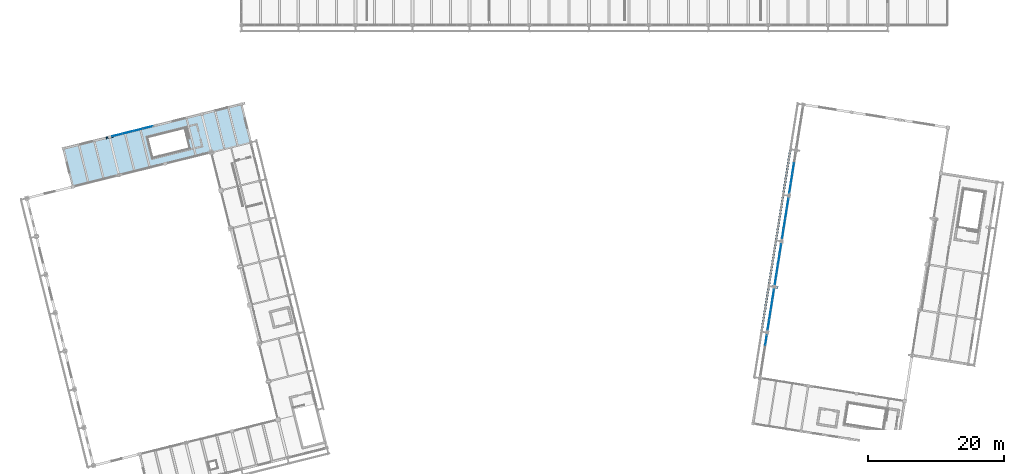
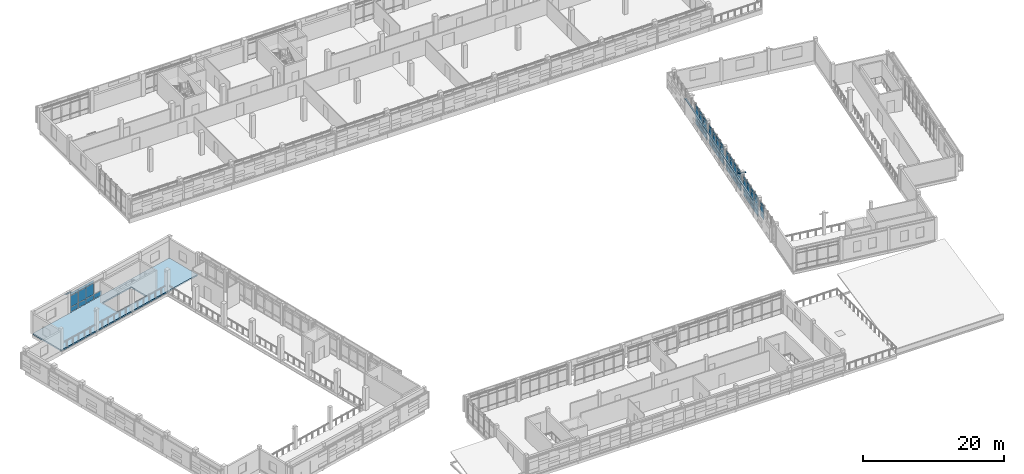
# One storey, part 86 of 117: 63 plates, 1 slab, 6 elements without a shape of their own.
"""IFC4 building model written with IfcOpenShell, lengths in metres."""

import ifcopenshell
import ifcopenshell.guid

model = None  # the IFC model being written
_history = None  # IfcOwnerHistory: only IFC2X3 demands one
_inside = {}  # id of a spatial element -> (the spatial element, [elements in it])
_under = {}  # id of a project, library or spatial element -> (it, [spatial elements below it])
_declared = {}  # id of a project -> (the project, [libraries it declares])
_typed = {}  # id of a type object -> (the type object, [elements of that type])
_made_of = {}  # id of a material, layer set ... -> (it, [elements and type objects made of it])


def new_model(schema):
    """Start an empty IFC model of exactly this schema.

    Asked for "IFC4X3", IfcOpenShell would pick the latest addendum, in which some entities
    have other attributes; the version numbers below select the first issue.
    IFC2X3 requires an IfcOwnerHistory on every rooted entity: one is made here for all.
    """
    global model, _history
    if schema == "IFC4X3":
        model = ifcopenshell.file(schema_version=(4, 3, 0, 0))
    else:
        model = ifcopenshell.file(schema=schema)
    _inside.clear()
    _under.clear()
    _declared.clear()
    _typed.clear()
    _made_of.clear()
    _history = None
    if model.schema == "IFC2X3":
        org = make("IfcOrganization", Name="unknown")
        user = make(
            "IfcPersonAndOrganization",
            ThePerson=make("IfcPerson", FamilyName="unknown"),
            TheOrganization=org,
        )
        app = make(
            "IfcApplication",
            ApplicationDeveloper=org,
            Version="unknown",
            ApplicationFullName="unknown",
            ApplicationIdentifier="unknown",
        )
        _history = make(
            "IfcOwnerHistory",
            OwningUser=user,
            OwningApplication=app,
            ChangeAction="ADDED",
            CreationDate=0,
        )
    return model


def make(cls, **values):
    """One entity of the class cls with the attributes given. An attribute that is None is left unset."""
    return model.create_entity(
        cls, **{name: value for name, value in values.items() if value is not None}
    )


def rooted(cls, **values):
    """An entity with a GlobalId (a new one), such as an element, a storey or a relation."""
    return make(cls, GlobalId=ifcopenshell.guid.new(), OwnerHistory=_history, **values)


def si_unit(unit_type, name, prefix=None):
    """IfcSIUnit, for example si_unit("LENGTHUNIT", "METRE", prefix="MILLI")."""
    return make("IfcSIUnit", UnitType=unit_type, Prefix=prefix, Name=name)


def assignment(units):
    """IfcUnitAssignment: the units of a project."""
    return None if units is None else make("IfcUnitAssignment", Units=units)


def point(xyz):
    """IfcCartesianPoint."""
    return None if xyz is None else make("IfcCartesianPoint", Coordinates=xyz)


def direction(xyz):
    """IfcDirection."""
    return None if xyz is None else make("IfcDirection", DirectionRatios=xyz)


def frame(location, z_axis=None, x_axis=None):
    """IfcAxis2Placement3D, a coordinate frame: its origin and axes. An axis left out is left unset."""
    return make(
        "IfcAxis2Placement3D",
        Location=point(location),
        Axis=direction(z_axis),
        RefDirection=direction(x_axis),
    )


def frame_2d(location, x_axis=None):
    """IfcAxis2Placement2D, a coordinate frame in the plane: its origin and x axis."""
    return make(
        "IfcAxis2Placement2D", Location=point(location), RefDirection=direction(x_axis)
    )


def origin():
    """The frame at (0, 0, 0) with its axes left unset."""
    return frame((0.0, 0.0, 0.0))


def origin_2d():
    """The frame at (0, 0) in the plane with its x axis left unset."""
    return frame_2d((0.0, 0.0))


def place(relative_to, where):
    """IfcLocalPlacement: puts the frame where relative to a parent placement (None: the world)."""
    return make(
        "IfcLocalPlacement", PlacementRelTo=relative_to, RelativePlacement=where
    )


def context(
    kind, dimensions, precision=None, world=None, true_north=None, identifier=None
):
    """IfcGeometricRepresentationContext, for example the 3D "Model" context."""
    return make(
        "IfcGeometricRepresentationContext",
        ContextIdentifier=identifier,
        ContextType=kind,
        CoordinateSpaceDimension=dimensions,
        Precision=precision,
        WorldCoordinateSystem=world,
        TrueNorth=true_north,
    )


def subcontext(parent, identifier, kind, view, scale=None):
    """IfcGeometricRepresentationSubContext, for example "Body" below "Model"."""
    return make(
        "IfcGeometricRepresentationSubContext",
        ContextIdentifier=identifier,
        ContextType=kind,
        ParentContext=parent,
        TargetScale=scale,
        TargetView=view,
    )


def project(units=None, contexts=None):
    """IfcProject with its units and contexts."""
    return rooted(
        "IfcProject",
        Name="project",
        RepresentationContexts=contexts,
        UnitsInContext=assignment(units),
    )


def spatial(cls, under=None, at=None, **own):
    """A site, building, storey or space (cls), placed at a placement, below another one or the project."""
    s = rooted(cls, ObjectPlacement=at, **own)
    if under is not None:
        _under.setdefault(under.id(), (under, []))[1].append(s)
    return s


def polyline(points):
    """IfcPolyline through the points."""
    return make("IfcPolyline", Points=[point(p) for p in points])


def profile(cls, at=None, kind="AREA", **sizes):
    """A parametric profile (cls). Its sizes go by their IFC names, for example OverallWidth=200.0."""
    return make(cls, ProfileType=kind, Position=at, **sizes)


def rectangle(**sizes):
    """IfcRectangleProfileDef."""
    return profile("IfcRectangleProfileDef", **sizes)


def outline(outer, holes=None, kind="AREA"):
    """IfcArbitraryClosedProfileDef: a profile drawn as a closed curve; with holes, ...WithVoids."""
    if holes is None:
        return make("IfcArbitraryClosedProfileDef", ProfileType=kind, OuterCurve=outer)
    return make(
        "IfcArbitraryProfileDefWithVoids",
        ProfileType=kind,
        OuterCurve=outer,
        InnerCurves=holes,
    )


def extrude(swept, where, along, depth):
    """IfcExtrudedAreaSolid: the profile swept, set in the frame where, extruded along a direction by depth."""
    return make(
        "IfcExtrudedAreaSolid",
        SweptArea=swept,
        Position=where,
        ExtrudedDirection=direction(along),
        Depth=depth,
    )


def shape(context_of_items, identifier, shape_type, items):
    """IfcShapeRepresentation: the items that make up one representation, for example the "Body"."""
    return make(
        "IfcShapeRepresentation",
        ContextOfItems=context_of_items,
        RepresentationIdentifier=identifier,
        RepresentationType=shape_type,
        Items=items,
    )


def material(Name=None, Category=None):
    """IfcMaterial."""
    return make("IfcMaterial", Name=Name, Category=Category)


def layer(
    of_material, thickness, ventilated=None, Name=None, Category=None, Priority=None
):
    """IfcMaterialLayer: one layer of a wall or slab, of a material (None: an air gap)."""
    return make(
        "IfcMaterialLayer",
        Material=of_material,
        LayerThickness=thickness,
        IsVentilated=ventilated,
        Name=Name,
        Category=Category,
        Priority=Priority,
    )


def layer_set(layers, Name=None):
    """IfcMaterialLayerSet."""
    return make("IfcMaterialLayerSet", MaterialLayers=layers, LayerSetName=Name)


def made_of(thing, what):
    """Note that an element or type object is made of a material, layer set ...; save() writes the relation."""
    if what is not None:
        _made_of.setdefault(what.id(), (what, []))[1].append(thing)
    return thing


def type_object(cls, material=None, **own):
    """A type object (cls), such as IfcWallType, which elements share."""
    return made_of(rooted(cls, **own), material)


def element(
    cls,
    number,
    at=None,
    inside=None,
    cuts=None,
    type_object=None,
    material=None,
    context=None,
    identifier="Body",
    shape_type=None,
    held_by="IfcProductDefinitionShape",
    body=None,
    shapes=None,
    **own,
):
    """One element of the class cls, such as IfcWall. Its Tag is "e" and its number.

    at: its placement. inside: the storey or other place that contains it. cuts: it is an
    opening in that element (IfcRelVoidsElement). A single representation is given by context,
    identifier, shape_type and body (its items); several are given by shapes. held_by: the class
    of the entity that holds the representations. save() writes the other relations.
    """
    e = rooted(cls, Tag="e%d" % number, ObjectPlacement=at, **own)
    if body is not None:
        shapes = [shape(context, identifier, shape_type, body)]
    if shapes is not None:
        e.Representation = make(held_by, Representations=shapes)
    if inside is not None:
        _inside.setdefault(inside.id(), (inside, []))[1].append(e)
    if cuts is not None:
        rooted(
            "IfcRelVoidsElement", RelatingBuildingElement=cuts, RelatedOpeningElement=e
        )
    if type_object is not None:
        _typed.setdefault(type_object.id(), (type_object, []))[1].append(e)
    return made_of(e, material)


def aggregate(whole, parts):
    """IfcRelAggregates: a whole, such as a stair, and the parts it consists of."""
    return rooted("IfcRelAggregates", RelatingObject=whole, RelatedObjects=parts)


def save(model, path):
    """Write the relations noted so far, then the file.

    IfcRelAggregates (storeys below a building ...), IfcRelContainedInSpatialStructure (elements
    in a storey), IfcRelDefinesByType, IfcRelAssociatesMaterial and IfcRelDeclares: one each for
    every whole, place, type object, material and project.
    """
    for whole, parts in _under.values():
        aggregate(whole, parts)
    for where, things in _inside.values():
        rooted(
            "IfcRelContainedInSpatialStructure",
            RelatedElements=things,
            RelatingStructure=where,
        )
    for kind, things in _typed.values():
        rooted("IfcRelDefinesByType", RelatedObjects=things, RelatingType=kind)
    for what, things in _made_of.values():
        rooted("IfcRelAssociatesMaterial", RelatedObjects=things, RelatingMaterial=what)
    for by, libraries in _declared.values():
        rooted("IfcRelDeclares", RelatingContext=by, RelatedDefinitions=libraries)
    model.write(path)


model = new_model("IFC4")

# Units and contexts
model_context = context("Model", 3, precision=1e-05, world=origin(), true_north=direction((0.0, 1.0)))
body_context = subcontext(model_context, "Body", "Model", "MODEL_VIEW")
ifc_project = project(units=[si_unit("LENGTHUNIT", "METRE"), si_unit("AREAUNIT", "SQUARE_METRE"), si_unit("VOLUMEUNIT", "CUBIC_METRE"), si_unit("PLANEANGLEUNIT", "RADIAN"), si_unit("MASSUNIT", "GRAM", prefix="KILO")], contexts=[model_context])

# Site, building, storey
site_placement = place(None, origin())
site = spatial("IfcSite", under=ifc_project, at=site_placement, CompositionType="ELEMENT")
building_placement = place(site_placement, origin())
building = spatial("IfcBuilding", under=site, at=building_placement, Name="Cinderway Yard Community Centre", CompositionType="ELEMENT")
storey_placement = place(building_placement, frame((0.0, 0.0, 9.0)))
storey = spatial("IfcBuildingStorey", under=building, at=storey_placement, Name="L02", CompositionType="ELEMENT", Elevation=9.0)

# Curtain wall, plates
ifc_material_1 = material(Name="Aluminium 6063-T6", Category="aluminium")
curtain_wall_type_1 = type_object("IfcCurtainWallType", Name="ENV-CW-TYPE-08", PredefinedType="USERDEFINED", material=ifc_material_1)
curtain_wall_1_placement = place(storey_placement, origin())
curtain_wall_1 = element("IfcCurtainWall", 1, at=curtain_wall_1_placement, inside=storey, type_object=curtain_wall_type_1, Name="Choir North Curtain Wall ENV-CW-L02-ST-0029", ObjectType="GLAZED CURTAIN WALL", PredefinedType="USERDEFINED")
ifc_material_2 = material(Name="Laminated Low-E Glass", Category="glass")
ifc_layer_1 = layer(ifc_material_2, 0.028076171875, Name="Laminated Low-E Glass")
ifc_layer_set_1 = layer_set([ifc_layer_1], Name="Laminated Low-E Glass")
plate_type_1 = type_object("IfcPlateType", Name="ENV-CW-PAN-IGU28", PredefinedType="CURTAIN_PANEL", material=ifc_layer_set_1)
plate_1_placement = place(storey_placement, frame((23.308349609375, 73.809326171875, 0.06005859375), z_axis=(0.0, 0.0, 1.0), x_axis=(0.97027434352, 0.242007641009, 0.0)))
plate_1 = element("IfcPlate", 2, at=plate_1_placement, type_object=plate_type_1, Name="CW-08 panel 1.1", PredefinedType="CURTAIN_PANEL", context=body_context, shape_type="SweptSolid", body=[
    extrude(rectangle(XDim=1.469970703125, YDim=0.028076171875, at=origin_2d()), origin(), (0.0, 0.0, 1.0), 0.81005859375),
])
plate_2_placement = place(storey_placement, frame((23.308349609375, 73.809326171875, 0.929931640625), z_axis=(0.0, 0.0, 1.0), x_axis=(0.97027434352, 0.242007641009, 0.0)))
plate_2 = element("IfcPlate", 3, at=plate_2_placement, type_object=plate_type_1, Name="CW-08 panel 1.2", PredefinedType="CURTAIN_PANEL", context=body_context, shape_type="SweptSolid", body=[
    extrude(rectangle(XDim=1.469970703125, YDim=0.028076171875, at=origin_2d()), origin(), (0.0, 0.0, 1.0), 1.93994140625),
])
plate_3_placement = place(storey_placement, frame((23.308349609375, 73.809326171875, 2.929931640625), z_axis=(0.0, 0.0, 1.0), x_axis=(0.97027434352, 0.242007641009, 0.0)))
plate_3 = element("IfcPlate", 4, at=plate_3_placement, type_object=plate_type_1, Name="CW-08 panel 1.3", PredefinedType="CURTAIN_PANEL", context=body_context, shape_type="SweptSolid", body=[
    extrude(rectangle(XDim=1.469970703125, YDim=0.028076171875, at=origin_2d()), origin(), (0.0, 0.0, 1.0), 0.4599609375),
])
plate_4_placement = place(storey_placement, frame((24.80712890625, 74.183349609375, 0.06005859375), z_axis=(0.0, 0.0, 1.0), x_axis=(0.97027434352, 0.242007641009, 0.0)))
plate_4 = element("IfcPlate", 5, at=plate_4_placement, type_object=plate_type_1, Name="CW-08 panel 2.1", PredefinedType="CURTAIN_PANEL", context=body_context, shape_type="SweptSolid", body=[
    extrude(rectangle(XDim=1.499755859375, YDim=0.028076171875, at=origin_2d()), origin(), (0.0, 0.0, 1.0), 0.81005859375),
])
plate_5_placement = place(storey_placement, frame((24.80712890625, 74.183349609375, 0.929931640625), z_axis=(0.0, 0.0, 1.0), x_axis=(0.97027434352, 0.242007641009, 0.0)))
plate_5 = element("IfcPlate", 6, at=plate_5_placement, type_object=plate_type_1, Name="CW-08 panel 2.2", PredefinedType="CURTAIN_PANEL", context=body_context, shape_type="SweptSolid", body=[
    extrude(rectangle(XDim=1.499755859375, YDim=0.028076171875, at=origin_2d()), origin(), (0.0, 0.0, 1.0), 1.93994140625),
])
plate_6_placement = place(storey_placement, frame((24.80712890625, 74.183349609375, 2.929931640625), z_axis=(0.0, 0.0, 1.0), x_axis=(0.97027434352, 0.242007641009, 0.0)))
plate_6 = element("IfcPlate", 7, at=plate_6_placement, type_object=plate_type_1, Name="CW-08 panel 2.3", PredefinedType="CURTAIN_PANEL", context=body_context, shape_type="SweptSolid", body=[
    extrude(rectangle(XDim=1.499755859375, YDim=0.028076171875, at=origin_2d()), origin(), (0.0, 0.0, 1.0), 0.4599609375),
])
plate_7_placement = place(storey_placement, frame((26.32080078125, 74.560791015625, 0.06005859375), z_axis=(0.0, 0.0, 1.0), x_axis=(0.97027434352, 0.242007641009, 0.0)))
plate_7 = element("IfcPlate", 8, at=plate_7_placement, type_object=plate_type_1, Name="CW-08 panel 3.1", PredefinedType="CURTAIN_PANEL", context=body_context, shape_type="SweptSolid", body=[
    extrude(rectangle(XDim=1.499755859375, YDim=0.028076171875, at=origin_2d()), origin(), (0.0, 0.0, 1.0), 0.81005859375),
])
plate_8_placement = place(storey_placement, frame((26.32080078125, 74.560791015625, 0.929931640625), z_axis=(0.0, 0.0, 1.0), x_axis=(0.97027434352, 0.242007641009, 0.0)))
plate_8 = element("IfcPlate", 9, at=plate_8_placement, type_object=plate_type_1, Name="CW-08 panel 3.2", PredefinedType="CURTAIN_PANEL", context=body_context, shape_type="SweptSolid", body=[
    extrude(rectangle(XDim=1.499755859375, YDim=0.028076171875, at=origin_2d()), origin(), (0.0, 0.0, 1.0), 1.93994140625),
])
plate_9_placement = place(storey_placement, frame((26.32080078125, 74.560791015625, 2.929931640625), z_axis=(0.0, 0.0, 1.0), x_axis=(0.97027434352, 0.242007641009, 0.0)))
plate_9 = element("IfcPlate", 10, at=plate_9_placement, type_object=plate_type_1, Name="CW-08 panel 3.3", PredefinedType="CURTAIN_PANEL", context=body_context, shape_type="SweptSolid", body=[
    extrude(rectangle(XDim=1.499755859375, YDim=0.028076171875, at=origin_2d()), origin(), (0.0, 0.0, 1.0), 0.4599609375),
])
plate_10_placement = place(storey_placement, frame((27.819580078125, 74.9345703125, 0.06005859375), z_axis=(0.0, 0.0, 1.0), x_axis=(0.97027434352, 0.242007641009, 0.0)))
plate_10 = element("IfcPlate", 11, at=plate_10_placement, type_object=plate_type_1, Name="CW-08 panel 4.1", PredefinedType="CURTAIN_PANEL", context=body_context, shape_type="SweptSolid", body=[
    extrude(rectangle(XDim=1.469970703125, YDim=0.028076171875, at=origin_2d()), origin(), (0.0, 0.0, 1.0), 0.81005859375),
])
aggregate(curtain_wall_1, [plate_1, plate_2, plate_3, plate_4, plate_5, plate_6, plate_7, plate_8, plate_9, plate_10])

curtain_wall_type_2 = type_object("IfcCurtainWallType", Name="ENV-CW-TYPE-17", PredefinedType="USERDEFINED", material=ifc_material_1)
curtain_wall_2_placement = place(storey_placement, origin())
curtain_wall_2 = element("IfcCurtainWall", 12, at=curtain_wall_2_placement, inside=storey, type_object=curtain_wall_type_2, Name="Sports Hall Courtyard Curtain Wall ENV-CW-L02-HS-0060", ObjectType="GLAZED CURTAIN WALL", PredefinedType="USERDEFINED")
ifc_layer_2 = layer(ifc_material_2, 0.031982421875, Name="Laminated Low-E Glass")
ifc_layer_set_2 = layer_set([ifc_layer_2], Name="Laminated Low-E Glass")
plate_type_2 = type_object("IfcPlateType", Name="ENV-CW-PAN-IGU32", PredefinedType="CURTAIN_PANEL", material=ifc_layer_set_2)
plate_11_placement = place(storey_placement, frame((118.884521484375, 43.580322265625, 0.929931640625), z_axis=(0.0, 0.0, 1.0), x_axis=(0.156608625643, 0.987660740525, 0.0)))
plate_11 = element("IfcPlate", 13, at=plate_11_placement, type_object=plate_type_2, Name="CW-17 panel 4.2", PredefinedType="CURTAIN_PANEL", context=body_context, shape_type="SweptSolid", body=[
    extrude(rectangle(XDim=1.420166015625, YDim=0.028076171875, at=origin_2d()), origin(), (0.0, 0.0, 1.0), 1.93994140625),
])
plate_12_placement = place(storey_placement, frame((118.884521484375, 43.580322265625, 2.929931640625), z_axis=(0.0, 0.0, 1.0), x_axis=(0.156608625643, 0.987660740525, 0.0)))
plate_12 = element("IfcPlate", 14, at=plate_12_placement, type_object=plate_type_2, Name="CW-17 panel 4.3", PredefinedType="CURTAIN_PANEL", context=body_context, shape_type="SweptSolid", body=[
    extrude(rectangle(XDim=1.420166015625, YDim=0.028076171875, at=origin_2d()), origin(), (0.0, 0.0, 1.0), 0.4599609375),
])
aggregate(curtain_wall_2, [plate_11, plate_12])

curtain_wall_3_placement = place(storey_placement, origin())
curtain_wall_3 = element("IfcCurtainWall", 15, at=curtain_wall_3_placement, inside=storey, type_object=curtain_wall_type_2, Name="Sports Hall Courtyard Curtain Wall ENV-CW-L02-HS-0061", ObjectType="GLAZED CURTAIN WALL", PredefinedType="USERDEFINED")
plate_13_placement = place(storey_placement, frame((119.24365234375, 45.851806640625, 0.06005859375), z_axis=(0.0, 0.0, 1.0), x_axis=(0.156583023401, 0.987664799809, 0.0)))
plate_13 = element("IfcPlate", 16, at=plate_13_placement, type_object=plate_type_2, Name="CW-17 panel 1.1", PredefinedType="CURTAIN_PANEL", context=body_context, shape_type="SweptSolid", body=[
    extrude(rectangle(XDim=1.42041015625, YDim=0.028076171875, at=origin_2d()), origin(), (0.0, 0.0, 1.0), 0.81005859375),
])
plate_14_placement = place(storey_placement, frame((119.24365234375, 45.851806640625, 0.929931640625), z_axis=(0.0, 0.0, 1.0), x_axis=(0.156583023401, 0.987664799809, 0.0)))
plate_14 = element("IfcPlate", 17, at=plate_14_placement, type_object=plate_type_2, Name="CW-17 panel 1.2", PredefinedType="CURTAIN_PANEL", context=body_context, shape_type="SweptSolid", body=[
    extrude(rectangle(XDim=1.42041015625, YDim=0.028076171875, at=origin_2d()), origin(), (0.0, 0.0, 1.0), 1.93994140625),
])
plate_15_placement = place(storey_placement, frame((119.24365234375, 45.851806640625, 2.929931640625), z_axis=(0.0, 0.0, 1.0), x_axis=(0.156583023401, 0.987664799809, 0.0)))
plate_15 = element("IfcPlate", 18, at=plate_15_placement, type_object=plate_type_2, Name="CW-17 panel 1.3", PredefinedType="CURTAIN_PANEL", context=body_context, shape_type="SweptSolid", body=[
    extrude(rectangle(XDim=1.42041015625, YDim=0.028076171875, at=origin_2d()), origin(), (0.0, 0.0, 1.0), 0.4599609375),
])
plate_16_placement = place(storey_placement, frame((119.477783203125, 47.32861328125, 0.06005859375), z_axis=(0.0, 0.0, 1.0), x_axis=(0.156583023401, 0.987664799809, 0.0)))
plate_16 = element("IfcPlate", 19, at=plate_16_placement, type_object=plate_type_2, Name="CW-17 panel 2.1", PredefinedType="CURTAIN_PANEL", context=body_context, shape_type="SweptSolid", body=[
    extrude(rectangle(XDim=1.450439453125, YDim=0.028076171875, at=origin_2d()), origin(), (0.0, 0.0, 1.0), 0.81005859375),
])
plate_17_placement = place(storey_placement, frame((119.477783203125, 47.32861328125, 0.929931640625), z_axis=(0.0, 0.0, 1.0), x_axis=(0.156583023401, 0.987664799809, 0.0)))
plate_17 = element("IfcPlate", 20, at=plate_17_placement, type_object=plate_type_2, Name="CW-17 panel 2.2", PredefinedType="CURTAIN_PANEL", context=body_context, shape_type="SweptSolid", body=[
    extrude(rectangle(XDim=1.450439453125, YDim=0.028076171875, at=origin_2d()), origin(), (0.0, 0.0, 1.0), 1.93994140625),
])
plate_18_placement = place(storey_placement, frame((119.477783203125, 47.32861328125, 2.929931640625), z_axis=(0.0, 0.0, 1.0), x_axis=(0.156583023401, 0.987664799809, 0.0)))
plate_18 = element("IfcPlate", 21, at=plate_18_placement, type_object=plate_type_2, Name="CW-17 panel 2.3", PredefinedType="CURTAIN_PANEL", context=body_context, shape_type="SweptSolid", body=[
    extrude(rectangle(XDim=1.450439453125, YDim=0.028076171875, at=origin_2d()), origin(), (0.0, 0.0, 1.0), 0.4599609375),
])
plate_19_placement = place(storey_placement, frame((119.71435546875, 48.8203125, 0.06005859375), z_axis=(0.0, 0.0, 1.0), x_axis=(0.156583023401, 0.987664799809, 0.0)))
plate_19 = element("IfcPlate", 22, at=plate_19_placement, type_object=plate_type_2, Name="CW-17 panel 3.1", PredefinedType="CURTAIN_PANEL", context=body_context, shape_type="SweptSolid", body=[
    extrude(rectangle(XDim=1.450439453125, YDim=0.028076171875, at=origin_2d()), origin(), (0.0, 0.0, 1.0), 0.81005859375),
])
plate_20_placement = place(storey_placement, frame((119.71435546875, 48.8203125, 0.929931640625), z_axis=(0.0, 0.0, 1.0), x_axis=(0.156583023401, 0.987664799809, 0.0)))
plate_20 = element("IfcPlate", 23, at=plate_20_placement, type_object=plate_type_2, Name="CW-17 panel 3.2", PredefinedType="CURTAIN_PANEL", context=body_context, shape_type="SweptSolid", body=[
    extrude(rectangle(XDim=1.450439453125, YDim=0.028076171875, at=origin_2d()), origin(), (0.0, 0.0, 1.0), 1.93994140625),
])
plate_21_placement = place(storey_placement, frame((119.71435546875, 48.8203125, 2.929931640625), z_axis=(0.0, 0.0, 1.0), x_axis=(0.156583023401, 0.987664799809, 0.0)))
plate_21 = element("IfcPlate", 24, at=plate_21_placement, type_object=plate_type_2, Name="CW-17 panel 3.3", PredefinedType="CURTAIN_PANEL", context=body_context, shape_type="SweptSolid", body=[
    extrude(rectangle(XDim=1.450439453125, YDim=0.028076171875, at=origin_2d()), origin(), (0.0, 0.0, 1.0), 0.4599609375),
])
plate_22_placement = place(storey_placement, frame((119.948486328125, 50.29736328125, 0.06005859375), z_axis=(0.0, 0.0, 1.0), x_axis=(0.156583023401, 0.987664799809, 0.0)))
plate_22 = element("IfcPlate", 25, at=plate_22_placement, type_object=plate_type_2, Name="CW-17 panel 4.1", PredefinedType="CURTAIN_PANEL", context=body_context, shape_type="SweptSolid", body=[
    extrude(rectangle(XDim=1.42041015625, YDim=0.028076171875, at=origin_2d()), origin(), (0.0, 0.0, 1.0), 0.81005859375),
])
plate_23_placement = place(storey_placement, frame((119.948486328125, 50.29736328125, 0.929931640625), z_axis=(0.0, 0.0, 1.0), x_axis=(0.156583023401, 0.987664799809, 0.0)))
plate_23 = element("IfcPlate", 26, at=plate_23_placement, type_object=plate_type_2, Name="CW-17 panel 4.2", PredefinedType="CURTAIN_PANEL", context=body_context, shape_type="SweptSolid", body=[
    extrude(rectangle(XDim=1.42041015625, YDim=0.028076171875, at=origin_2d()), origin(), (0.0, 0.0, 1.0), 1.93994140625),
])
plate_24_placement = place(storey_placement, frame((119.948486328125, 50.29736328125, 2.929931640625), z_axis=(0.0, 0.0, 1.0), x_axis=(0.156583023401, 0.987664799809, 0.0)))
plate_24 = element("IfcPlate", 27, at=plate_24_placement, type_object=plate_type_2, Name="CW-17 panel 4.3", PredefinedType="CURTAIN_PANEL", context=body_context, shape_type="SweptSolid", body=[
    extrude(rectangle(XDim=1.42041015625, YDim=0.028076171875, at=origin_2d()), origin(), (0.0, 0.0, 1.0), 0.4599609375),
])
aggregate(curtain_wall_3, [plate_13, plate_14, plate_15, plate_16, plate_17, plate_18, plate_19, plate_20, plate_21, plate_22, plate_23, plate_24])

curtain_wall_4_placement = place(storey_placement, origin())
curtain_wall_4 = element("IfcCurtainWall", 28, at=curtain_wall_4_placement, inside=storey, type_object=curtain_wall_type_2, Name="Sports Hall Courtyard Curtain Wall ENV-CW-L02-HS-0062", ObjectType="GLAZED CURTAIN WALL", PredefinedType="USERDEFINED")
plate_25_placement = place(storey_placement, frame((120.307373046875, 52.568603515625, 0.06005859375), z_axis=(0.0, 0.0, 1.0), x_axis=(0.1564471314, 0.987686334358, 0.0)))
plate_25 = element("IfcPlate", 29, at=plate_25_placement, type_object=plate_type_2, Name="CW-17 panel 1.1", PredefinedType="CURTAIN_PANEL", context=body_context, shape_type="SweptSolid", body=[
    extrude(rectangle(XDim=1.420166015625, YDim=0.028076171875, at=origin_2d()), origin(), (0.0, 0.0, 1.0), 0.81005859375),
])
plate_26_placement = place(storey_placement, frame((120.307373046875, 52.568603515625, 0.929931640625), z_axis=(0.0, 0.0, 1.0), x_axis=(0.1564471314, 0.987686334358, 0.0)))
plate_26 = element("IfcPlate", 30, at=plate_26_placement, type_object=plate_type_2, Name="CW-17 panel 1.2", PredefinedType="CURTAIN_PANEL", context=body_context, shape_type="SweptSolid", body=[
    extrude(rectangle(XDim=1.420166015625, YDim=0.028076171875, at=origin_2d()), origin(), (0.0, 0.0, 1.0), 1.93994140625),
])
plate_27_placement = place(storey_placement, frame((120.307373046875, 52.568603515625, 2.929931640625), z_axis=(0.0, 0.0, 1.0), x_axis=(0.1564471314, 0.987686334358, 0.0)))
plate_27 = element("IfcPlate", 31, at=plate_27_placement, type_object=plate_type_2, Name="CW-17 panel 1.3", PredefinedType="CURTAIN_PANEL", context=body_context, shape_type="SweptSolid", body=[
    extrude(rectangle(XDim=1.420166015625, YDim=0.028076171875, at=origin_2d()), origin(), (0.0, 0.0, 1.0), 0.4599609375),
])
plate_28_placement = place(storey_placement, frame((120.541259765625, 54.045166015625, 0.06005859375), z_axis=(0.0, 0.0, 1.0), x_axis=(0.1564471314, 0.987686334358, 0.0)))
plate_28 = element("IfcPlate", 32, at=plate_28_placement, type_object=plate_type_2, Name="CW-17 panel 2.1", PredefinedType="CURTAIN_PANEL", context=body_context, shape_type="SweptSolid", body=[
    extrude(rectangle(XDim=1.4501953125, YDim=0.028076171875, at=origin_2d()), origin(), (0.0, 0.0, 1.0), 0.81005859375),
])
plate_29_placement = place(storey_placement, frame((120.541259765625, 54.045166015625, 0.929931640625), z_axis=(0.0, 0.0, 1.0), x_axis=(0.1564471314, 0.987686334358, 0.0)))
plate_29 = element("IfcPlate", 33, at=plate_29_placement, type_object=plate_type_2, Name="CW-17 panel 2.2", PredefinedType="CURTAIN_PANEL", context=body_context, shape_type="SweptSolid", body=[
    extrude(rectangle(XDim=1.4501953125, YDim=0.028076171875, at=origin_2d()), origin(), (0.0, 0.0, 1.0), 1.93994140625),
])
plate_30_placement = place(storey_placement, frame((120.541259765625, 54.045166015625, 2.929931640625), z_axis=(0.0, 0.0, 1.0), x_axis=(0.1564471314, 0.987686334358, 0.0)))
plate_30 = element("IfcPlate", 34, at=plate_30_placement, type_object=plate_type_2, Name="CW-17 panel 2.3", PredefinedType="CURTAIN_PANEL", context=body_context, shape_type="SweptSolid", body=[
    extrude(rectangle(XDim=1.4501953125, YDim=0.028076171875, at=origin_2d()), origin(), (0.0, 0.0, 1.0), 0.4599609375),
])
plate_31_placement = place(storey_placement, frame((120.777587890625, 55.536865234375, 0.06005859375), z_axis=(0.0, 0.0, 1.0), x_axis=(0.1564471314, 0.987686334358, 0.0)))
plate_31 = element("IfcPlate", 35, at=plate_31_placement, type_object=plate_type_2, Name="CW-17 panel 3.1", PredefinedType="CURTAIN_PANEL", context=body_context, shape_type="SweptSolid", body=[
    extrude(rectangle(XDim=1.4501953125, YDim=0.028076171875, at=origin_2d()), origin(), (0.0, 0.0, 1.0), 0.81005859375),
])
plate_32_placement = place(storey_placement, frame((120.777587890625, 55.536865234375, 0.929931640625), z_axis=(0.0, 0.0, 1.0), x_axis=(0.1564471314, 0.987686334358, 0.0)))
plate_32 = element("IfcPlate", 36, at=plate_32_placement, type_object=plate_type_2, Name="CW-17 panel 3.2", PredefinedType="CURTAIN_PANEL", context=body_context, shape_type="SweptSolid", body=[
    extrude(rectangle(XDim=1.4501953125, YDim=0.028076171875, at=origin_2d()), origin(), (0.0, 0.0, 1.0), 1.93994140625),
])
plate_33_placement = place(storey_placement, frame((120.777587890625, 55.536865234375, 2.929931640625), z_axis=(0.0, 0.0, 1.0), x_axis=(0.1564471314, 0.987686334358, 0.0)))
plate_33 = element("IfcPlate", 37, at=plate_33_placement, type_object=plate_type_2, Name="CW-17 panel 3.3", PredefinedType="CURTAIN_PANEL", context=body_context, shape_type="SweptSolid", body=[
    extrude(rectangle(XDim=1.4501953125, YDim=0.028076171875, at=origin_2d()), origin(), (0.0, 0.0, 1.0), 0.4599609375),
])
plate_34_placement = place(storey_placement, frame((121.011474609375, 57.013427734375, 0.06005859375), z_axis=(0.0, 0.0, 1.0), x_axis=(0.1564471314, 0.987686334358, 0.0)))
plate_34 = element("IfcPlate", 38, at=plate_34_placement, type_object=plate_type_2, Name="CW-17 panel 4.1", PredefinedType="CURTAIN_PANEL", context=body_context, shape_type="SweptSolid", body=[
    extrude(rectangle(XDim=1.420166015625, YDim=0.028076171875, at=origin_2d()), origin(), (0.0, 0.0, 1.0), 0.81005859375),
])
plate_35_placement = place(storey_placement, frame((121.011474609375, 57.013427734375, 0.929931640625), z_axis=(0.0, 0.0, 1.0), x_axis=(0.1564471314, 0.987686334358, 0.0)))
plate_35 = element("IfcPlate", 39, at=plate_35_placement, type_object=plate_type_2, Name="CW-17 panel 4.2", PredefinedType="CURTAIN_PANEL", context=body_context, shape_type="SweptSolid", body=[
    extrude(rectangle(XDim=1.420166015625, YDim=0.028076171875, at=origin_2d()), origin(), (0.0, 0.0, 1.0), 1.93994140625),
])
plate_36_placement = place(storey_placement, frame((121.011474609375, 57.013427734375, 2.929931640625), z_axis=(0.0, 0.0, 1.0), x_axis=(0.1564471314, 0.987686334358, 0.0)))
plate_36 = element("IfcPlate", 40, at=plate_36_placement, type_object=plate_type_2, Name="CW-17 panel 4.3", PredefinedType="CURTAIN_PANEL", context=body_context, shape_type="SweptSolid", body=[
    extrude(rectangle(XDim=1.420166015625, YDim=0.028076171875, at=origin_2d()), origin(), (0.0, 0.0, 1.0), 0.4599609375),
])
aggregate(curtain_wall_4, [plate_25, plate_26, plate_27, plate_28, plate_29, plate_30, plate_31, plate_32, plate_33, plate_34, plate_35, plate_36])

curtain_wall_5_placement = place(storey_placement, origin())
curtain_wall_5 = element("IfcCurtainWall", 41, at=curtain_wall_5_placement, inside=storey, type_object=curtain_wall_type_2, Name="Sports Hall Courtyard Curtain Wall ENV-CW-L02-HS-0063", ObjectType="GLAZED CURTAIN WALL", PredefinedType="USERDEFINED")
plate_37_placement = place(storey_placement, frame((121.37060546875, 59.28466796875, 0.06005859375), z_axis=(0.0, 0.0, 1.0), x_axis=(0.156608625643, 0.987660740525, 0.0)))
plate_37 = element("IfcPlate", 42, at=plate_37_placement, type_object=plate_type_2, Name="CW-17 panel 1.1", PredefinedType="CURTAIN_PANEL", context=body_context, shape_type="SweptSolid", body=[
    extrude(rectangle(XDim=1.420166015625, YDim=0.028076171875, at=origin_2d()), origin(), (0.0, 0.0, 1.0), 0.81005859375),
])
plate_38_placement = place(storey_placement, frame((121.37060546875, 59.28466796875, 0.929931640625), z_axis=(0.0, 0.0, 1.0), x_axis=(0.156608625643, 0.987660740525, 0.0)))
plate_38 = element("IfcPlate", 43, at=plate_38_placement, type_object=plate_type_2, Name="CW-17 panel 1.2", PredefinedType="CURTAIN_PANEL", context=body_context, shape_type="SweptSolid", body=[
    extrude(rectangle(XDim=1.420166015625, YDim=0.028076171875, at=origin_2d()), origin(), (0.0, 0.0, 1.0), 1.93994140625),
])
plate_39_placement = place(storey_placement, frame((121.37060546875, 59.28466796875, 2.929931640625), z_axis=(0.0, 0.0, 1.0), x_axis=(0.156608625643, 0.987660740525, 0.0)))
plate_39 = element("IfcPlate", 44, at=plate_39_placement, type_object=plate_type_2, Name="CW-17 panel 1.3", PredefinedType="CURTAIN_PANEL", context=body_context, shape_type="SweptSolid", body=[
    extrude(rectangle(XDim=1.420166015625, YDim=0.028076171875, at=origin_2d()), origin(), (0.0, 0.0, 1.0), 0.4599609375),
])
plate_40_placement = place(storey_placement, frame((121.604736328125, 60.76123046875, 0.06005859375), z_axis=(0.0, 0.0, 1.0), x_axis=(0.156608625643, 0.987660740525, 0.0)))
plate_40 = element("IfcPlate", 45, at=plate_40_placement, type_object=plate_type_2, Name="CW-17 panel 2.1", PredefinedType="CURTAIN_PANEL", context=body_context, shape_type="SweptSolid", body=[
    extrude(rectangle(XDim=1.4501953125, YDim=0.028076171875, at=origin_2d()), origin(), (0.0, 0.0, 1.0), 0.81005859375),
])
plate_41_placement = place(storey_placement, frame((121.604736328125, 60.76123046875, 0.929931640625), z_axis=(0.0, 0.0, 1.0), x_axis=(0.156608625643, 0.987660740525, 0.0)))
plate_41 = element("IfcPlate", 46, at=plate_41_placement, type_object=plate_type_2, Name="CW-17 panel 2.2", PredefinedType="CURTAIN_PANEL", context=body_context, shape_type="SweptSolid", body=[
    extrude(rectangle(XDim=1.4501953125, YDim=0.028076171875, at=origin_2d()), origin(), (0.0, 0.0, 1.0), 1.93994140625),
])
plate_42_placement = place(storey_placement, frame((121.604736328125, 60.76123046875, 2.929931640625), z_axis=(0.0, 0.0, 1.0), x_axis=(0.156608625643, 0.987660740525, 0.0)))
plate_42 = element("IfcPlate", 47, at=plate_42_placement, type_object=plate_type_2, Name="CW-17 panel 2.3", PredefinedType="CURTAIN_PANEL", context=body_context, shape_type="SweptSolid", body=[
    extrude(rectangle(XDim=1.4501953125, YDim=0.028076171875, at=origin_2d()), origin(), (0.0, 0.0, 1.0), 0.4599609375),
])
plate_43_placement = place(storey_placement, frame((121.84130859375, 62.252685546875, 0.06005859375), z_axis=(0.0, 0.0, 1.0), x_axis=(0.156608625643, 0.987660740525, 0.0)))
plate_43 = element("IfcPlate", 48, at=plate_43_placement, type_object=plate_type_2, Name="CW-17 panel 3.1", PredefinedType="CURTAIN_PANEL", context=body_context, shape_type="SweptSolid", body=[
    extrude(rectangle(XDim=1.4501953125, YDim=0.028076171875, at=origin_2d()), origin(), (0.0, 0.0, 1.0), 0.81005859375),
])
plate_44_placement = place(storey_placement, frame((121.84130859375, 62.252685546875, 0.929931640625), z_axis=(0.0, 0.0, 1.0), x_axis=(0.156608625643, 0.987660740525, 0.0)))
plate_44 = element("IfcPlate", 49, at=plate_44_placement, type_object=plate_type_2, Name="CW-17 panel 3.2", PredefinedType="CURTAIN_PANEL", context=body_context, shape_type="SweptSolid", body=[
    extrude(rectangle(XDim=1.4501953125, YDim=0.028076171875, at=origin_2d()), origin(), (0.0, 0.0, 1.0), 1.93994140625),
])
plate_45_placement = place(storey_placement, frame((121.84130859375, 62.252685546875, 2.929931640625), z_axis=(0.0, 0.0, 1.0), x_axis=(0.156608625643, 0.987660740525, 0.0)))
plate_45 = element("IfcPlate", 50, at=plate_45_placement, type_object=plate_type_2, Name="CW-17 panel 3.3", PredefinedType="CURTAIN_PANEL", context=body_context, shape_type="SweptSolid", body=[
    extrude(rectangle(XDim=1.4501953125, YDim=0.028076171875, at=origin_2d()), origin(), (0.0, 0.0, 1.0), 0.4599609375),
])
plate_46_placement = place(storey_placement, frame((122.075439453125, 63.7294921875, 0.06005859375), z_axis=(0.0, 0.0, 1.0), x_axis=(0.156608625643, 0.987660740525, 0.0)))
plate_46 = element("IfcPlate", 51, at=plate_46_placement, type_object=plate_type_2, Name="CW-17 panel 4.1", PredefinedType="CURTAIN_PANEL", context=body_context, shape_type="SweptSolid", body=[
    extrude(rectangle(XDim=1.420166015625, YDim=0.028076171875, at=origin_2d()), origin(), (0.0, 0.0, 1.0), 0.81005859375),
])
plate_47_placement = place(storey_placement, frame((122.075439453125, 63.7294921875, 0.929931640625), z_axis=(0.0, 0.0, 1.0), x_axis=(0.156608625643, 0.987660740525, 0.0)))
plate_47 = element("IfcPlate", 52, at=plate_47_placement, type_object=plate_type_2, Name="CW-17 panel 4.2", PredefinedType="CURTAIN_PANEL", context=body_context, shape_type="SweptSolid", body=[
    extrude(rectangle(XDim=1.420166015625, YDim=0.028076171875, at=origin_2d()), origin(), (0.0, 0.0, 1.0), 1.93994140625),
])
plate_48_placement = place(storey_placement, frame((122.075439453125, 63.7294921875, 2.929931640625), z_axis=(0.0, 0.0, 1.0), x_axis=(0.156608625643, 0.987660740525, 0.0)))
plate_48 = element("IfcPlate", 53, at=plate_48_placement, type_object=plate_type_2, Name="CW-17 panel 4.3", PredefinedType="CURTAIN_PANEL", context=body_context, shape_type="SweptSolid", body=[
    extrude(rectangle(XDim=1.420166015625, YDim=0.028076171875, at=origin_2d()), origin(), (0.0, 0.0, 1.0), 0.4599609375),
])
aggregate(curtain_wall_5, [plate_37, plate_38, plate_39, plate_40, plate_41, plate_42, plate_43, plate_44, plate_45, plate_46, plate_47, plate_48])

curtain_wall_6_placement = place(storey_placement, origin())
curtain_wall_6 = element("IfcCurtainWall", 54, at=curtain_wall_6_placement, inside=storey, type_object=curtain_wall_type_2, Name="Sports Hall Courtyard Curtain Wall ENV-CW-L02-HS-0064", ObjectType="GLAZED CURTAIN WALL", PredefinedType="USERDEFINED")
plate_49_placement = place(storey_placement, frame((122.4345703125, 66.00048828125, 0.06005859375), z_axis=(0.0, 0.0, 1.0), x_axis=(0.156608625643, 0.987660740525, 0.0)))
plate_49 = element("IfcPlate", 55, at=plate_49_placement, type_object=plate_type_2, Name="CW-17 panel 1.1", PredefinedType="CURTAIN_PANEL", context=body_context, shape_type="SweptSolid", body=[
    extrude(rectangle(XDim=1.420166015625, YDim=0.028076171875, at=origin_2d()), origin(), (0.0, 0.0, 1.0), 0.81005859375),
])
plate_50_placement = place(storey_placement, frame((122.4345703125, 66.00048828125, 0.929931640625), z_axis=(0.0, 0.0, 1.0), x_axis=(0.156608625643, 0.987660740525, 0.0)))
plate_50 = element("IfcPlate", 56, at=plate_50_placement, type_object=plate_type_2, Name="CW-17 panel 1.2", PredefinedType="CURTAIN_PANEL", context=body_context, shape_type="SweptSolid", body=[
    extrude(rectangle(XDim=1.420166015625, YDim=0.028076171875, at=origin_2d()), origin(), (0.0, 0.0, 1.0), 1.93994140625),
])
plate_51_placement = place(storey_placement, frame((122.4345703125, 66.00048828125, 2.929931640625), z_axis=(0.0, 0.0, 1.0), x_axis=(0.156608625643, 0.987660740525, 0.0)))
plate_51 = element("IfcPlate", 57, at=plate_51_placement, type_object=plate_type_2, Name="CW-17 panel 1.3", PredefinedType="CURTAIN_PANEL", context=body_context, shape_type="SweptSolid", body=[
    extrude(rectangle(XDim=1.420166015625, YDim=0.028076171875, at=origin_2d()), origin(), (0.0, 0.0, 1.0), 0.4599609375),
])
plate_52_placement = place(storey_placement, frame((122.668701171875, 67.477294921875, 0.06005859375), z_axis=(0.0, 0.0, 1.0), x_axis=(0.156608625643, 0.987660740525, 0.0)))
plate_52 = element("IfcPlate", 58, at=plate_52_placement, type_object=plate_type_2, Name="CW-17 panel 2.1", PredefinedType="CURTAIN_PANEL", context=body_context, shape_type="SweptSolid", body=[
    extrude(rectangle(XDim=1.4501953125, YDim=0.028076171875, at=origin_2d()), origin(), (0.0, 0.0, 1.0), 0.81005859375),
])
plate_53_placement = place(storey_placement, frame((122.668701171875, 67.477294921875, 0.929931640625), z_axis=(0.0, 0.0, 1.0), x_axis=(0.156608625643, 0.987660740525, 0.0)))
plate_53 = element("IfcPlate", 59, at=plate_53_placement, type_object=plate_type_2, Name="CW-17 panel 2.2", PredefinedType="CURTAIN_PANEL", context=body_context, shape_type="SweptSolid", body=[
    extrude(rectangle(XDim=1.4501953125, YDim=0.028076171875, at=origin_2d()), origin(), (0.0, 0.0, 1.0), 1.93994140625),
])
plate_54_placement = place(storey_placement, frame((122.668701171875, 67.477294921875, 2.929931640625), z_axis=(0.0, 0.0, 1.0), x_axis=(0.156608625643, 0.987660740525, 0.0)))
plate_54 = element("IfcPlate", 60, at=plate_54_placement, type_object=plate_type_2, Name="CW-17 panel 2.3", PredefinedType="CURTAIN_PANEL", context=body_context, shape_type="SweptSolid", body=[
    extrude(rectangle(XDim=1.4501953125, YDim=0.028076171875, at=origin_2d()), origin(), (0.0, 0.0, 1.0), 0.4599609375),
])
plate_55_placement = place(storey_placement, frame((122.9052734375, 68.96875, 0.06005859375), z_axis=(0.0, 0.0, 1.0), x_axis=(0.156608625643, 0.987660740525, 0.0)))
plate_55 = element("IfcPlate", 61, at=plate_55_placement, type_object=plate_type_2, Name="CW-17 panel 3.1", PredefinedType="CURTAIN_PANEL", context=body_context, shape_type="SweptSolid", body=[
    extrude(rectangle(XDim=1.4501953125, YDim=0.028076171875, at=origin_2d()), origin(), (0.0, 0.0, 1.0), 0.81005859375),
])
plate_56_placement = place(storey_placement, frame((122.9052734375, 68.96875, 0.929931640625), z_axis=(0.0, 0.0, 1.0), x_axis=(0.156608625643, 0.987660740525, 0.0)))
plate_56 = element("IfcPlate", 62, at=plate_56_placement, type_object=plate_type_2, Name="CW-17 panel 3.2", PredefinedType="CURTAIN_PANEL", context=body_context, shape_type="SweptSolid", body=[
    extrude(rectangle(XDim=1.4501953125, YDim=0.028076171875, at=origin_2d()), origin(), (0.0, 0.0, 1.0), 1.93994140625),
])
plate_57_placement = place(storey_placement, frame((122.9052734375, 68.96875, 2.929931640625), z_axis=(0.0, 0.0, 1.0), x_axis=(0.156608625643, 0.987660740525, 0.0)))
plate_57 = element("IfcPlate", 63, at=plate_57_placement, type_object=plate_type_2, Name="CW-17 panel 3.3", PredefinedType="CURTAIN_PANEL", context=body_context, shape_type="SweptSolid", body=[
    extrude(rectangle(XDim=1.4501953125, YDim=0.028076171875, at=origin_2d()), origin(), (0.0, 0.0, 1.0), 0.4599609375),
])
aggregate(curtain_wall_6, [plate_49, plate_50, plate_51, plate_52, plate_53, plate_54, plate_55, plate_56, plate_57])

# Plates
ifc_layer_3 = layer(ifc_material_1, 0.01611328125, Name="Aluminium 6063-T6")
ifc_layer_set_3 = layer_set([ifc_layer_3], Name="Aluminium 6063-T6")
plate_type_3 = type_object("IfcPlateType", Name="ENV-PLT-FASCIA16", PredefinedType="USERDEFINED", material=ifc_layer_set_3)
plate_58_placement = place(storey_placement, frame((118.756103515625, 48.20703125, 3.411865234375), z_axis=(0.0, 0.0, 1.0), x_axis=(0.15643446504, 0.987688340595, 0.0)))
element("IfcPlate", 64, at=plate_58_placement, inside=storey, type_object=plate_type_3, Name="Screen coping fascia 0139", ObjectType="FASCIA PLATE", PredefinedType="USERDEFINED", context=body_context, shape_type="SweptSolid", body=[
    extrude(rectangle(XDim=6.700927734375, YDim=0.260009765625, at=origin_2d()), origin(), (0.0, 0.0, 1.0), 0.01611328125),
])
for number, where, z_axis, x_axis, name in (
    (65, (119.820068359375, 54.924072265625, 3.411865234375), (0.0, 0.0, 1.0), (0.15643446504, 0.987688340595, 0.0), "Screen coping fascia 0140"),
    (66, (120.883056640625, 61.639892578125, 3.411865234375), (0.0, 0.0, 1.0), (0.15643446504, 0.987688340595, 0.0), "Screen coping fascia 0141"),
    (67, (121.947021484375, 68.35595703125, 3.411865234375), (0.0, 0.0, 1.0), (0.15643446504, 0.987688340595, 0.0), "Screen coping fascia 0142"),
):
    element("IfcPlate", number, at=place(storey_placement, frame(where, z_axis=z_axis, x_axis=x_axis)), inside=storey, type_object=plate_type_3, Name=name, ObjectType="FASCIA PLATE", PredefinedType="USERDEFINED", context=body_context, shape_type="SweptSolid", body=[
        extrude(rectangle(XDim=6.699951171875, YDim=0.260009765625, at=origin_2d()), origin(), (0.0, 0.0, 1.0), 0.01611328125),
    ])
ifc_material_3 = material(Name="Steel S355", Category="steel")
ifc_layer_4 = layer(ifc_material_3, 0.02392578125, Name="Steel S355")
ifc_layer_set_4 = layer_set([ifc_layer_4], Name="Steel S355")
plate_type_4 = type_object("IfcPlateType", Name="STR-PLT-STIFF-12", PredefinedType="SHEET", material=ifc_layer_set_4)
plate_59_placement = place(storey_placement, frame((22.16796875, 73.52490234375, 3.588134765625), z_axis=(0.0, 0.0, 1.0), x_axis=(0.970295726276, 0.2419218956, 0.0)))
element("IfcPlate", 68, at=plate_59_placement, inside=storey, type_object=plate_type_4, Name="Column head stiffener plate 12", PredefinedType="SHEET", context=body_context, shape_type="SweptSolid", body=[
    extrude(rectangle(XDim=1.0400390625, YDim=0.260009765625, at=origin_2d()), origin(), (0.0, 0.0, 1.0), 0.02392578125),
])
ifc_layer_5 = layer(ifc_material_3, 0.02392578125, Name="Steel S355")
ifc_layer_set_5 = layer_set([ifc_layer_5], Name="Steel S355")
plate_type_5 = type_object("IfcPlateType", Name="STR-PLT-STIFF-14", PredefinedType="SHEET", material=ifc_layer_set_5)
plate_60_placement = place(storey_placement, frame((120.1279296875, 51.43310546875, 3.588134765625), z_axis=(0.0, 0.0, 1.0), x_axis=(0.987688340595, -0.15643446504, 0.0)))
element("IfcPlate", 69, at=plate_60_placement, inside=storey, type_object=plate_type_5, Name="Column head stiffener plate 14", PredefinedType="SHEET", context=body_context, shape_type="SweptSolid", body=[
    extrude(rectangle(XDim=1.10009765625, YDim=0.31005859375, at=origin_2d()), origin(), (0.0, 0.0, 1.0), 0.02392578125),
])

# Slab
ifc_material_4 = material(Name="Concrete C35/45", Category="concrete")
ifc_layer_6 = layer(ifc_material_4, 0.239990234375, Name="Concrete C35/45")
ifc_layer_set_6 = layer_set([ifc_layer_6], Name="Concrete C35/45")
slab_type = type_object("IfcSlabType", Name="STR-SLAB-FLR-240", PredefinedType="FLOOR", material=ifc_layer_set_6)
slab_placement = place(storey_placement, frame((0.0, 0.0, -0.239990234375)))
element("IfcSlab", 70, at=slab_placement, inside=storey, type_object=slab_type, Name="V1 North Rehearsal Choir Slab L02 STR-SLAB-L02-023", PredefinedType="FLOOR", context=body_context, shape_type="SweptSolid", body=[
    extrude(outline(polyline([(16.779052734375, 66.2041015625), (42.97705078125, 72.736083984375), (41.573974609375, 78.364013671875), (15.3759765625, 71.83203125), (16.779052734375, 66.2041015625)]), holes=[polyline([(33.258056640625, 74.847900390625), (27.7470703125, 73.47412109375), (28.501953125, 70.446044921875), (34.012939453125, 71.821044921875), (33.258056640625, 74.847900390625)])]), origin(), (0.0, 0.0, 1.0), 0.239990234375),
])

save(model, "model.ifc")
